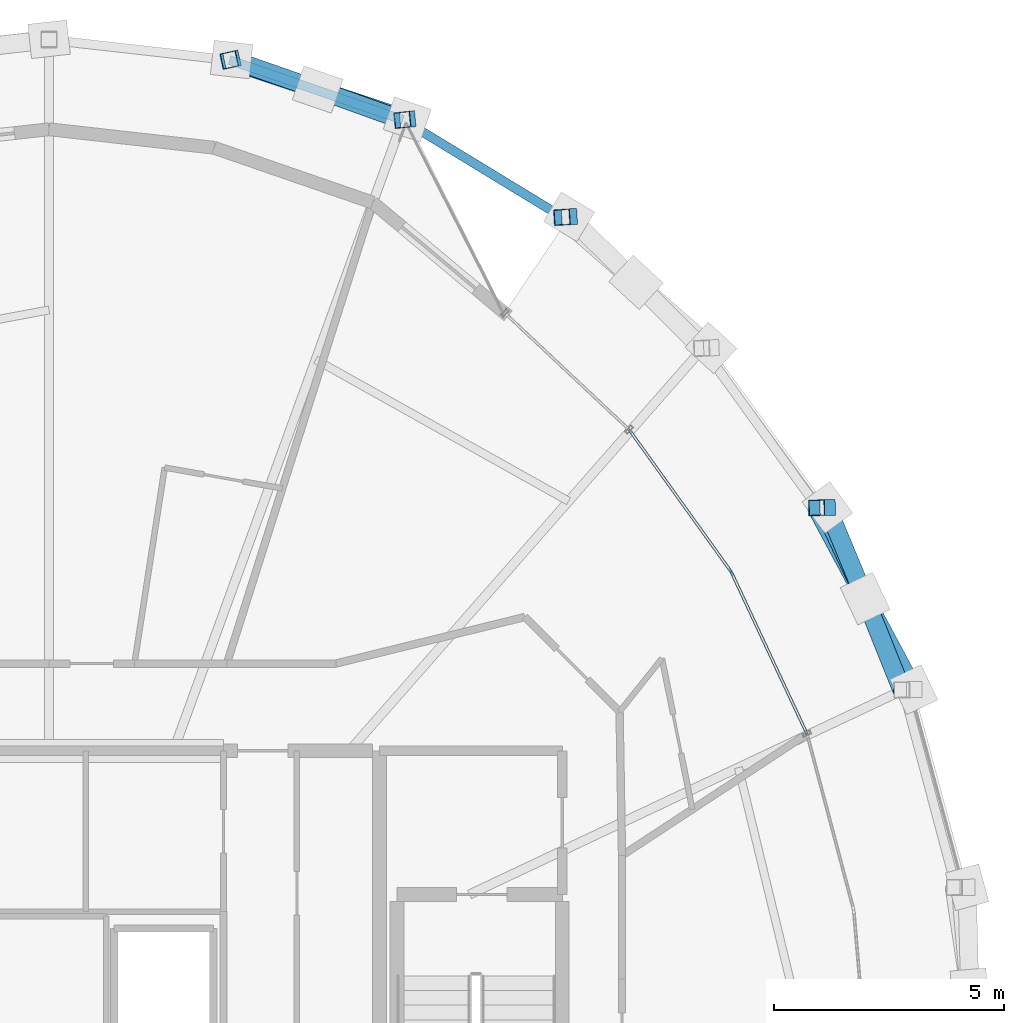
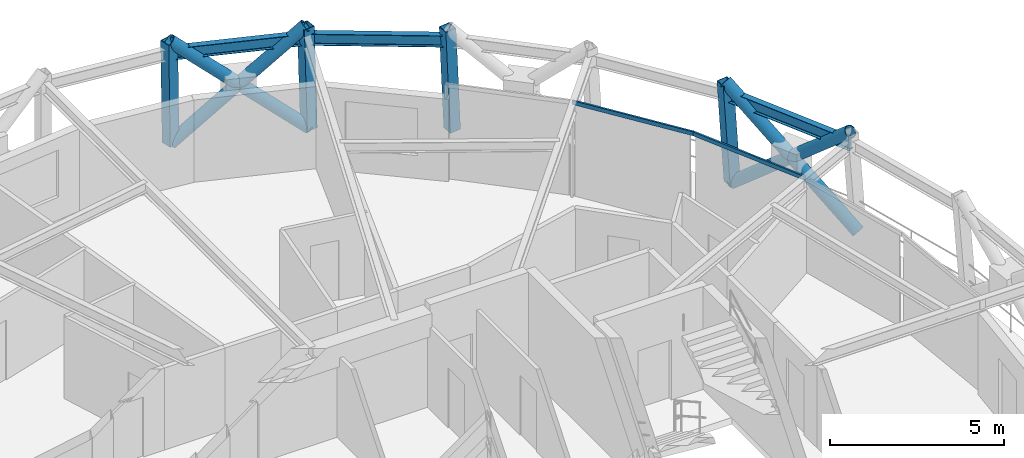
# One storey, part 8 of 16: 12 members, 3 beams, 1 element without a shape of its own.
"""IFC4 building model written with IfcOpenShell, lengths in metres."""

import ifcopenshell
import ifcopenshell.guid

model = None  # the IFC model being written
_history = None  # IfcOwnerHistory: only IFC2X3 demands one
_inside = {}  # id of a spatial element -> (the spatial element, [elements in it])
_under = {}  # id of a project, library or spatial element -> (it, [spatial elements below it])
_declared = {}  # id of a project -> (the project, [libraries it declares])
_typed = {}  # id of a type object -> (the type object, [elements of that type])
_made_of = {}  # id of a material, layer set ... -> (it, [elements and type objects made of it])


def new_model(schema):
    """Start an empty IFC model of exactly this schema.

    Asked for "IFC4X3", IfcOpenShell would pick the latest addendum, in which some entities
    have other attributes; the version numbers below select the first issue.
    IFC2X3 requires an IfcOwnerHistory on every rooted entity: one is made here for all.
    """
    global model, _history
    if schema == "IFC4X3":
        model = ifcopenshell.file(schema_version=(4, 3, 0, 0))
    else:
        model = ifcopenshell.file(schema=schema)
    _inside.clear()
    _under.clear()
    _declared.clear()
    _typed.clear()
    _made_of.clear()
    _history = None
    if model.schema == "IFC2X3":
        org = make("IfcOrganization", Name="unknown")
        user = make(
            "IfcPersonAndOrganization",
            ThePerson=make("IfcPerson", FamilyName="unknown"),
            TheOrganization=org,
        )
        app = make(
            "IfcApplication",
            ApplicationDeveloper=org,
            Version="unknown",
            ApplicationFullName="unknown",
            ApplicationIdentifier="unknown",
        )
        _history = make(
            "IfcOwnerHistory",
            OwningUser=user,
            OwningApplication=app,
            ChangeAction="ADDED",
            CreationDate=0,
        )
    return model


def make(cls, **values):
    """One entity of the class cls with the attributes given. An attribute that is None is left unset."""
    return model.create_entity(
        cls, **{name: value for name, value in values.items() if value is not None}
    )


def rooted(cls, **values):
    """An entity with a GlobalId (a new one), such as an element, a storey or a relation."""
    return make(cls, GlobalId=ifcopenshell.guid.new(), OwnerHistory=_history, **values)


def si_unit(unit_type, name, prefix=None):
    """IfcSIUnit, for example si_unit("LENGTHUNIT", "METRE", prefix="MILLI")."""
    return make("IfcSIUnit", UnitType=unit_type, Prefix=prefix, Name=name)


def assignment(units):
    """IfcUnitAssignment: the units of a project."""
    return None if units is None else make("IfcUnitAssignment", Units=units)


def point(xyz):
    """IfcCartesianPoint."""
    return None if xyz is None else make("IfcCartesianPoint", Coordinates=xyz)


def direction(xyz):
    """IfcDirection."""
    return None if xyz is None else make("IfcDirection", DirectionRatios=xyz)


def frame(location, z_axis=None, x_axis=None):
    """IfcAxis2Placement3D, a coordinate frame: its origin and axes. An axis left out is left unset."""
    return make(
        "IfcAxis2Placement3D",
        Location=point(location),
        Axis=direction(z_axis),
        RefDirection=direction(x_axis),
    )


def frame_2d(location, x_axis=None):
    """IfcAxis2Placement2D, a coordinate frame in the plane: its origin and x axis."""
    return make(
        "IfcAxis2Placement2D", Location=point(location), RefDirection=direction(x_axis)
    )


def origin():
    """The frame at (0, 0, 0) with its axes left unset."""
    return frame((0.0, 0.0, 0.0))


def origin_2d():
    """The frame at (0, 0) in the plane with its x axis left unset."""
    return frame_2d((0.0, 0.0))


def place(relative_to, where):
    """IfcLocalPlacement: puts the frame where relative to a parent placement (None: the world)."""
    return make(
        "IfcLocalPlacement", PlacementRelTo=relative_to, RelativePlacement=where
    )


def context(
    kind, dimensions, precision=None, world=None, true_north=None, identifier=None
):
    """IfcGeometricRepresentationContext, for example the 3D "Model" context."""
    return make(
        "IfcGeometricRepresentationContext",
        ContextIdentifier=identifier,
        ContextType=kind,
        CoordinateSpaceDimension=dimensions,
        Precision=precision,
        WorldCoordinateSystem=world,
        TrueNorth=true_north,
    )


def subcontext(parent, identifier, kind, view, scale=None):
    """IfcGeometricRepresentationSubContext, for example "Body" below "Model"."""
    return make(
        "IfcGeometricRepresentationSubContext",
        ContextIdentifier=identifier,
        ContextType=kind,
        ParentContext=parent,
        TargetScale=scale,
        TargetView=view,
    )


def project(units=None, contexts=None):
    """IfcProject with its units and contexts."""
    return rooted(
        "IfcProject",
        Name="project",
        RepresentationContexts=contexts,
        UnitsInContext=assignment(units),
    )


def spatial(cls, under=None, at=None, **own):
    """A site, building, storey or space (cls), placed at a placement, below another one or the project."""
    s = rooted(cls, ObjectPlacement=at, **own)
    if under is not None:
        _under.setdefault(under.id(), (under, []))[1].append(s)
    return s


def profile(cls, at=None, kind="AREA", **sizes):
    """A parametric profile (cls). Its sizes go by their IFC names, for example OverallWidth=200.0."""
    return make(cls, ProfileType=kind, Position=at, **sizes)


def hollow_rectangle(**sizes):
    """IfcRectangleHollowProfileDef."""
    return profile("IfcRectangleHollowProfileDef", **sizes)


def hollow_circle(**sizes):
    """IfcCircleHollowProfileDef."""
    return profile("IfcCircleHollowProfileDef", **sizes)


def i_section(**sizes):
    """IfcIShapeProfileDef."""
    return profile("IfcIShapeProfileDef", **sizes)


def extrude(swept, where, along, depth):
    """IfcExtrudedAreaSolid: the profile swept, set in the frame where, extruded along a direction by depth."""
    return make(
        "IfcExtrudedAreaSolid",
        SweptArea=swept,
        Position=where,
        ExtrudedDirection=direction(along),
        Depth=depth,
    )


def shape(context_of_items, identifier, shape_type, items):
    """IfcShapeRepresentation: the items that make up one representation, for example the "Body"."""
    return make(
        "IfcShapeRepresentation",
        ContextOfItems=context_of_items,
        RepresentationIdentifier=identifier,
        RepresentationType=shape_type,
        Items=items,
    )


def material(Name=None, Category=None):
    """IfcMaterial."""
    return make("IfcMaterial", Name=Name, Category=Category)


def layer(
    of_material, thickness, ventilated=None, Name=None, Category=None, Priority=None
):
    """IfcMaterialLayer: one layer of a wall or slab, of a material (None: an air gap)."""
    return make(
        "IfcMaterialLayer",
        Material=of_material,
        LayerThickness=thickness,
        IsVentilated=ventilated,
        Name=Name,
        Category=Category,
        Priority=Priority,
    )


def layer_set(layers, Name=None):
    """IfcMaterialLayerSet."""
    return make("IfcMaterialLayerSet", MaterialLayers=layers, LayerSetName=Name)


def material_profile(
    of_material, cross_section, Name=None, Category=None, Priority=None
):
    """IfcMaterialProfile: a cross section and its material."""
    return make(
        "IfcMaterialProfile",
        Name=Name,
        Material=of_material,
        Profile=cross_section,
        Priority=Priority,
        Category=Category,
    )


def profile_set(profiles, Name=None, composite=None):
    """IfcMaterialProfileSet."""
    return make(
        "IfcMaterialProfileSet",
        Name=Name,
        MaterialProfiles=profiles,
        CompositeProfile=composite,
    )


def made_of(thing, what):
    """Note that an element or type object is made of a material, layer set ...; save() writes the relation."""
    if what is not None:
        _made_of.setdefault(what.id(), (what, []))[1].append(thing)
    return thing


def type_object(cls, material=None, **own):
    """A type object (cls), such as IfcWallType, which elements share."""
    return made_of(rooted(cls, **own), material)


def element(
    cls,
    number,
    at=None,
    inside=None,
    cuts=None,
    type_object=None,
    material=None,
    context=None,
    identifier="Body",
    shape_type=None,
    held_by="IfcProductDefinitionShape",
    body=None,
    shapes=None,
    **own,
):
    """One element of the class cls, such as IfcWall. Its Tag is "e" and its number.

    at: its placement. inside: the storey or other place that contains it. cuts: it is an
    opening in that element (IfcRelVoidsElement). A single representation is given by context,
    identifier, shape_type and body (its items); several are given by shapes. held_by: the class
    of the entity that holds the representations. save() writes the other relations.
    """
    e = rooted(cls, Tag="e%d" % number, ObjectPlacement=at, **own)
    if body is not None:
        shapes = [shape(context, identifier, shape_type, body)]
    if shapes is not None:
        e.Representation = make(held_by, Representations=shapes)
    if inside is not None:
        _inside.setdefault(inside.id(), (inside, []))[1].append(e)
    if cuts is not None:
        rooted(
            "IfcRelVoidsElement", RelatingBuildingElement=cuts, RelatedOpeningElement=e
        )
    if type_object is not None:
        _typed.setdefault(type_object.id(), (type_object, []))[1].append(e)
    return made_of(e, material)


def aggregate(whole, parts):
    """IfcRelAggregates: a whole, such as a stair, and the parts it consists of."""
    return rooted("IfcRelAggregates", RelatingObject=whole, RelatedObjects=parts)


def save(model, path):
    """Write the relations noted so far, then the file.

    IfcRelAggregates (storeys below a building ...), IfcRelContainedInSpatialStructure (elements
    in a storey), IfcRelDefinesByType, IfcRelAssociatesMaterial and IfcRelDeclares: one each for
    every whole, place, type object, material and project.
    """
    for whole, parts in _under.values():
        aggregate(whole, parts)
    for where, things in _inside.values():
        rooted(
            "IfcRelContainedInSpatialStructure",
            RelatedElements=things,
            RelatingStructure=where,
        )
    for kind, things in _typed.values():
        rooted("IfcRelDefinesByType", RelatedObjects=things, RelatingType=kind)
    for what, things in _made_of.values():
        rooted("IfcRelAssociatesMaterial", RelatedObjects=things, RelatingMaterial=what)
    for by, libraries in _declared.values():
        rooted("IfcRelDeclares", RelatingContext=by, RelatedDefinitions=libraries)
    model.write(path)


model = new_model("IFC4")

# Units and contexts
model_context = context("Model", 3, precision=1e-05, world=origin(), true_north=direction((0.0, 1.0)))
body_context = subcontext(model_context, "Body", "Model", "MODEL_VIEW")
ifc_project = project(units=[si_unit("LENGTHUNIT", "METRE"), si_unit("AREAUNIT", "SQUARE_METRE"), si_unit("VOLUMEUNIT", "CUBIC_METRE"), si_unit("PLANEANGLEUNIT", "RADIAN"), si_unit("MASSUNIT", "GRAM", prefix="KILO")], contexts=[model_context])

# Site, building, storey
site_placement = place(None, origin())
site = spatial("IfcSite", under=ifc_project, at=site_placement, CompositionType="ELEMENT")
building_placement = place(site_placement, origin())
building = spatial("IfcBuilding", under=site, at=building_placement, Name="Veldorina Hangang Commons", CompositionType="ELEMENT")
storey_placement = place(building_placement, frame((0.0, 0.0, 283.199951171875)))
storey = spatial("IfcBuildingStorey", under=building, at=storey_placement, Name="L74", CompositionType="ELEMENT", Elevation=283.199951171875)

# Beams
ifc_material_1 = material(Name="Steel SM355-TMC", Category="steel")
ifc_material_profile_1 = material_profile(ifc_material_1, i_section(OverallWidth=0.199951171875, OverallDepth=0.39990234375, WebThickness=0.008056640625, FlangeThickness=0.012939453125, FilletRadius=0.012939453125, at=origin_2d()), Name="H-400x200x8x13")
ifc_profile_set_1 = profile_set([ifc_material_profile_1], Name="Steel SM355-TMC")
beam_type = type_object("IfcBeamType", Name="BM-RB400", PredefinedType="BEAM", material=ifc_profile_set_1)
beam_1_placement = place(storey_placement, frame((50.607421875, 32.778076171875, 3.16015625), z_axis=(-0.424895020661, 0.905242631242, 0.0), x_axis=(-0.905242631242, -0.424895020661, 0.0)))
element("IfcBeam", 1, at=beam_1_placement, inside=storey, type_object=beam_type, Name="L74 perimeter hoop ring beam 02", PredefinedType="BEAM", context=body_context, shape_type="SweptSolid", body=[
    extrude(i_section(OverallWidth=0.199951171875, OverallDepth=0.39990234375, WebThickness=0.008056640625, FlangeThickness=0.012939453125, FilletRadius=0.012939453125, at=origin_2d()), origin(), (0.0, 0.0, 1.0), 4.380615234375),
])
beam_2_placement = place(storey_placement, frame((43.189453125, 43.072021484375, 3.16015625), z_axis=(-0.854151135706, 0.520024843033, 0.0), x_axis=(-0.520024843033, -0.854151135706, 0.0)))
element("IfcBeam", 2, at=beam_2_placement, inside=storey, type_object=beam_type, Name="L74 perimeter hoop ring beam 05", PredefinedType="BEAM", context=body_context, shape_type="SweptSolid", body=[
    extrude(i_section(OverallWidth=0.199951171875, OverallDepth=0.39990234375, WebThickness=0.008056640625, FlangeThickness=0.012939453125, FilletRadius=0.012939453125, at=origin_2d()), origin(), (0.0, 0.0, 1.0), 4.076416015625),
])
beam_3_placement = place(storey_placement, frame((39.70751953125, 45.19189453125, 3.16015625), z_axis=(-0.94517615368, 0.326560926191, 0.0), x_axis=(-0.326560926191, -0.94517615368, 0.0)))
element("IfcBeam", 3, at=beam_3_placement, inside=storey, type_object=beam_type, Name="L74 perimeter hoop ring beam 06", PredefinedType="BEAM", context=body_context, shape_type="SweptSolid", body=[
    extrude(i_section(OverallWidth=0.199951171875, OverallDepth=0.39990234375, WebThickness=0.008056640625, FlangeThickness=0.012939453125, FilletRadius=0.012939453125, at=origin_2d()), origin(), (0.0, 0.0, 1.0), 3.99755859375),
])

# Curtain wall, members
ifc_material_2 = material(Name="Glass Low-E Selective", Category="glass")
ifc_layer = layer(ifc_material_2, 0.179931640625)
ifc_layer_set = layer_set([ifc_layer], Name="Glass Low-E Selective")
curtain_wall_type = type_object("IfcCurtainWallType", Name="CW-SYS-Z3", PredefinedType="NOTDEFINED", material=ifc_layer_set)
curtain_wall_placement = place(storey_placement, origin())
curtain_wall = element("IfcCurtainWall", 4, at=curtain_wall_placement, inside=storey, type_object=curtain_wall_type, Name="L74 unitised curtain wall CW-L74-R1", PredefinedType="NOTDEFINED")
ifc_material_3 = material(Name="Aluminium Anodized AA6063-T6", Category="aluminium")
ifc_material_profile_2 = material_profile(ifc_material_3, hollow_rectangle(XDim=0.06005859375, YDim=0.139892578125, WallThickness=0.00341796875, at=origin_2d()), Name="ALU-RHS-140x60x3.5")
ifc_profile_set_2 = profile_set([ifc_material_profile_2], Name="Aluminium Anodized AA6063-T6")
member_type_1 = type_object("IfcMemberType", Name="CW-TRN-140", PredefinedType="USERDEFINED", material=ifc_profile_set_2)
member_1_placement = place(storey_placement, frame((48.509521484375, 31.817626953125, 3.280029296875), z_axis=(-0.423540089093, 0.905877360867, 0.0), x_axis=(-0.905877360867, -0.423540089093, 0.0)))
member_1 = element("IfcMember", 5, at=member_1_placement, type_object=member_type_1, Name="CW-L74-R1 facet 3 transom 1", ObjectType="TRANSOM", PredefinedType="USERDEFINED", context=body_context, shape_type="SweptSolid", body=[
    extrude(hollow_rectangle(XDim=0.06005859375, YDim=0.139892578125, WallThickness=0.00341796875, at=origin_2d()), origin(), (0.0, 0.0, 1.0), 3.89892578125),
])
member_2_placement = place(storey_placement, frame((46.858154296875, 35.349609375, 3.280029296875), z_axis=(-0.583212203159, 0.812319842234, 0.0), x_axis=(-0.812319842234, -0.583212203159, 0.0)))
member_2 = element("IfcMember", 6, at=member_2_placement, type_object=member_type_1, Name="CW-L74-R1 facet 4 transom 1", ObjectType="TRANSOM", PredefinedType="USERDEFINED", context=body_context, shape_type="SweptSolid", body=[
    extrude(hollow_rectangle(XDim=0.06005859375, YDim=0.139892578125, WallThickness=0.00341796875, at=origin_2d()), origin(), (0.0, 0.0, 1.0), 3.810546875),
])
aggregate(curtain_wall, [member_1, member_2])

# Members
ifc_material_profile_3 = material_profile(ifc_material_1, hollow_circle(Radius=0.199951171875, WallThickness=0.02001953125, at=origin_2d()), Name="CHS-400x20")
ifc_profile_set_3 = profile_set([ifc_material_profile_3], Name="Steel SM355-TMC")
member_type_2 = type_object("IfcMemberType", Name="DG-CHS400", PredefinedType="BRACE", material=ifc_profile_set_3)
member_3_placement = place(storey_placement, frame((50.837646484375, 32.781982421875, 0.0), z_axis=(-0.368295600962, 0.687993993092, 0.62531801172), x_axis=(-0.881625339727, -0.471949955346, 0.0)))
element("IfcMember", 7, at=member_3_placement, inside=storey, type_object=member_type_2, Name="L74 continuous perimeter diagrid brace 02", PredefinedType="BRACE", context=body_context, shape_type="SweptSolid", body=[
    extrude(hollow_circle(Radius=0.199951171875, WallThickness=0.02001953125, at=origin_2d()), origin(), (0.0, 0.0, 1.0), 5.75732421875),
])
member_4_placement = place(storey_placement, frame((48.953369140625, 36.74951171875, 0.0), z_axis=(0.293320769512, -0.707574322892, 0.642885295956), x_axis=(0.923771537322, 0.382944051832, 0.0)))
element("IfcMember", 8, at=member_4_placement, inside=storey, type_object=member_type_2, Name="L74 split perimeter diagrid lower brace 03", PredefinedType="BRACE", context=body_context, shape_type="SweptSolid", body=[
    extrude(hollow_circle(Radius=0.199951171875, WallThickness=0.02001953125, at=origin_2d()), origin(), (0.0, 0.0, 1.0), 2.80419921875),
])
member_5_placement = place(storey_placement, frame((49.77587890625, 34.765380859375, 1.802734375), z_axis=(0.28588382267, -0.710825028397, 0.642649374807), x_axis=(0.927775717402, 0.373138336546, 0.0)))
element("IfcMember", 9, at=member_5_placement, inside=storey, type_object=member_type_2, Name="L74 split perimeter diagrid upper brace 03", PredefinedType="BRACE", context=body_context, shape_type="SweptSolid", body=[
    extrude(hollow_circle(Radius=0.199951171875, WallThickness=0.02001953125, at=origin_2d()), origin(), (0.0, 0.0, 1.0), 2.796875),
])
member_6_placement = place(storey_placement, frame((39.802734375, 45.20166015625, 0.0), z_axis=(-0.712095165121, 0.237469601406, 0.66070315893), x_axis=(-0.316353110715, -0.948641507283, 0.0)))
element("IfcMember", 10, at=member_6_placement, inside=storey, type_object=member_type_2, Name="L74 continuous perimeter diagrid brace 06", PredefinedType="BRACE", context=body_context, shape_type="SweptSolid", body=[
    extrude(hollow_circle(Radius=0.199951171875, WallThickness=0.02001953125, at=origin_2d()), origin(), (0.0, 0.0, 1.0), 5.448974609375),
])
member_7_placement = place(storey_placement, frame((35.977783203125, 46.507568359375, 0.0), z_axis=(0.697046874589, -0.243739206995, 0.674326963423), x_axis=(0.330076310668, 0.943954251612, 0.0)))
element("IfcMember", 11, at=member_7_placement, inside=storey, type_object=member_type_2, Name="L74 split perimeter diagrid lower brace 07", PredefinedType="BRACE", context=body_context, shape_type="SweptSolid", body=[
    extrude(hollow_circle(Radius=0.199951171875, WallThickness=0.02001953125, at=origin_2d()), origin(), (0.0, 0.0, 1.0), 2.6865234375),
])
member_8_placement = place(storey_placement, frame((37.850341796875, 45.852783203125, 1.8115234375), z_axis=(0.695031410602, -0.249684880424, 0.67423200663), x_axis=(0.338088359532, 0.941114371981, 0.0)))
element("IfcMember", 12, at=member_8_placement, inside=storey, type_object=member_type_2, Name="L74 split perimeter diagrid upper brace 07", PredefinedType="BRACE", context=body_context, shape_type="SweptSolid", body=[
    extrude(hollow_circle(Radius=0.199951171875, WallThickness=0.02001953125, at=origin_2d()), origin(), (0.0, 0.0, 1.0), 2.65283203125),
])
ifc_material_profile_4 = material_profile(ifc_material_1, hollow_rectangle(XDim=0.35009765625, YDim=0.35009765625, WallThickness=0.01611328125, at=origin_2d()), Name="SHS-350x350x16")
ifc_profile_set_4 = profile_set([ifc_material_profile_4], Name="Steel SM355-TMC")
member_type_3 = type_object("IfcMemberType", Name="STR-SHS350", PredefinedType="STRUT", material=ifc_profile_set_4)
member_9_placement = place(storey_placement, frame((48.953369140625, 36.74951171875, 0.0), z_axis=(-0.065436447107, -0.001827077634, 0.997855066218), x_axis=(0.027910528938, -0.999610425303, 0.0)))
element("IfcMember", 13, at=member_9_placement, inside=storey, type_object=member_type_3, Name="L74 perimeter ring node post 03", PredefinedType="STRUT", context=body_context, shape_type="SweptSolid", body=[
    extrude(hollow_rectangle(XDim=0.35009765625, YDim=0.35009765625, WallThickness=0.01611328125, at=origin_2d()), origin(), (0.0, 0.0, 1.0), 3.60791015625),
])
member_10_placement = place(storey_placement, frame((43.327880859375, 43.0810546875, 0.0), z_axis=(-0.043766335393, -0.002845489298, 0.999037742569), x_axis=(0.064878503348, -0.997893170536, 0.0)))
element("IfcMember", 14, at=member_10_placement, inside=storey, type_object=member_type_3, Name="L74 perimeter ring node post 05", PredefinedType="STRUT", context=body_context, shape_type="SweptSolid", body=[
    extrude(hollow_rectangle(XDim=0.35009765625, YDim=0.35009765625, WallThickness=0.01611328125, at=origin_2d()), origin(), (0.0, 0.0, 1.0), 3.603515625),
])
member_11_placement = place(storey_placement, frame((39.802734375, 45.20166015625, 0.0), z_axis=(-0.030163796764, -0.003118055396, 0.999540105796), x_axis=(0.102822888283, -0.994699680127, 0.0)))
element("IfcMember", 15, at=member_11_placement, inside=storey, type_object=member_type_3, Name="L74 perimeter ring node post 06", PredefinedType="STRUT", context=body_context, shape_type="SweptSolid", body=[
    extrude(hollow_rectangle(XDim=0.35009765625, YDim=0.35009765625, WallThickness=0.01611328125, at=origin_2d()), origin(), (0.0, 0.0, 1.0), 3.601806640625),
])
member_12_placement = place(storey_placement, frame((35.977783203125, 46.507568359375, 0.0), z_axis=(-0.015324305885, -0.003322526497, 0.999877055676), x_axis=(0.211891025137, -0.977293299612, 0.0)))
element("IfcMember", 16, at=member_12_placement, inside=storey, type_object=member_type_3, Name="L74 perimeter ring node post 07", PredefinedType="STRUT", context=body_context, shape_type="SweptSolid", body=[
    extrude(hollow_rectangle(XDim=0.35009765625, YDim=0.35009765625, WallThickness=0.01611328125, at=origin_2d()), origin(), (0.0, 0.0, 1.0), 3.6005859375),
])

save(model, "model.ifc")
